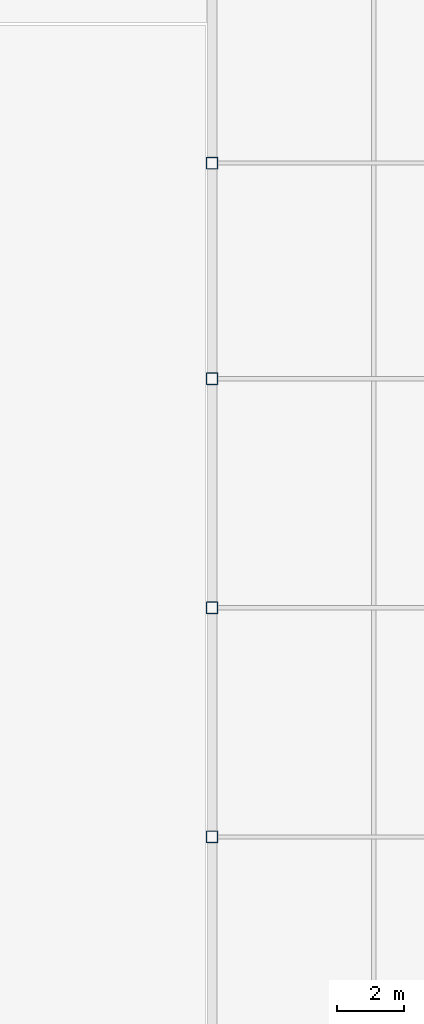
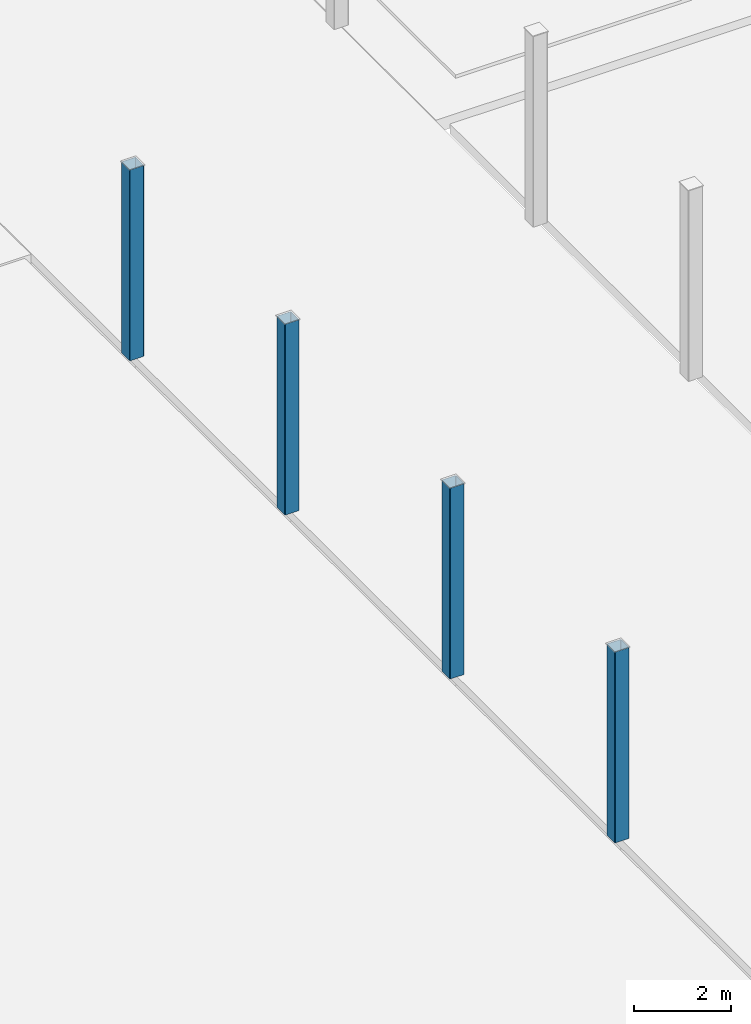
# One storey, part 7 of 97: 4 columns.
"""IFC4 building model written with IfcOpenShell, lengths in metres."""

from ifc_helpers import new_model, si_unit, direction, frame, origin, origin_2d, place, context, subcontext, project, spatial, hollow_rectangle, extrude, material, material_profile, profile_set, type_object, element, save


model = new_model("IFC4")

# Units and contexts
model_context = context("Model", 3, precision=1e-05, world=origin(), true_north=direction((0.0, 1.0)))
body_context = subcontext(model_context, "Body", "Model", "MODEL_VIEW")
ifc_project = project(units=[si_unit("LENGTHUNIT", "METRE"), si_unit("AREAUNIT", "SQUARE_METRE"), si_unit("VOLUMEUNIT", "CUBIC_METRE"), si_unit("PLANEANGLEUNIT", "RADIAN"), si_unit("MASSUNIT", "GRAM", prefix="KILO")], contexts=[model_context])

# Site, building, storey
site_placement = place(None, origin())
site = spatial("IfcSite", under=ifc_project, at=site_placement, CompositionType="ELEMENT")
building_placement = place(site_placement, origin())
building = spatial("IfcBuilding", under=site, at=building_placement, Name="Kisaragi Civic Commons", CompositionType="ELEMENT")
storey_placement = place(building_placement, origin())
storey = spatial("IfcBuildingStorey", under=building, at=storey_placement, Name="L00", CompositionType="ELEMENT", Elevation=0.0)

# Columns
ifc_material = material(Name="Steel BCR295", Category="steel")
ifc_material_profile = material_profile(ifc_material, hollow_rectangle(XDim=0.35009765625, YDim=0.35009765625, WallThickness=0.011962890625, InnerFilletRadius=0.011962890625, OuterFilletRadius=0.02392578125, at=origin_2d()), Name="BCR-350x350x12", Category="steel")
ifc_profile_set = profile_set([ifc_material_profile], Name="Steel BCR295")
column_type = type_object("IfcColumnType", Name="C-13", PredefinedType="COLUMN", material=ifc_profile_set)
for number, where, z_axis, x_axis, name in (
    (1, (123.60009765625, 38.0, 0.0), (0.0, 0.0, 1.0), (1.0, 0.0, 0.0), "L00 column C-13 (123.6,38.0)"),
    (2, (123.60009765625, 44.800048828125, 0.0), (0.0, 0.0, 1.0), (1.0, 0.0, 0.0), "L00 column C-13 (123.6,44.8)"),
    (3, (123.60009765625, 51.60009765625, 0.0), (0.0, 0.0, 1.0), (1.0, 0.0, 0.0), "L00 column C-13 (123.6,51.6)"),
    (4, (123.60009765625, 58.0, 0.0), (0.0, 0.0, 1.0), (1.0, 0.0, 0.0), "L00 column C-13 (123.6,58.0)"),
):
    element("IfcColumn", number, at=place(storey_placement, frame(where, z_axis=z_axis, x_axis=x_axis)), inside=storey, type_object=column_type, Name=name, PredefinedType="COLUMN", context=body_context, shape_type="SweptSolid", body=[
        extrude(hollow_rectangle(XDim=0.35009765625, YDim=0.35009765625, WallThickness=0.011962890625, InnerFilletRadius=0.011962890625, OuterFilletRadius=0.02392578125, at=origin_2d()), origin(), (0.0, 0.0, 1.0), 4.800048828125),
    ])

save(model, "model.ifc")
